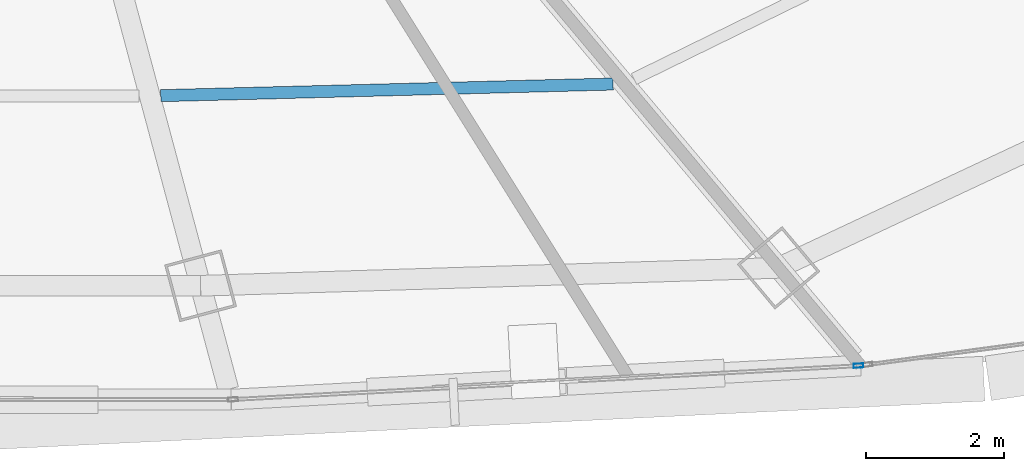
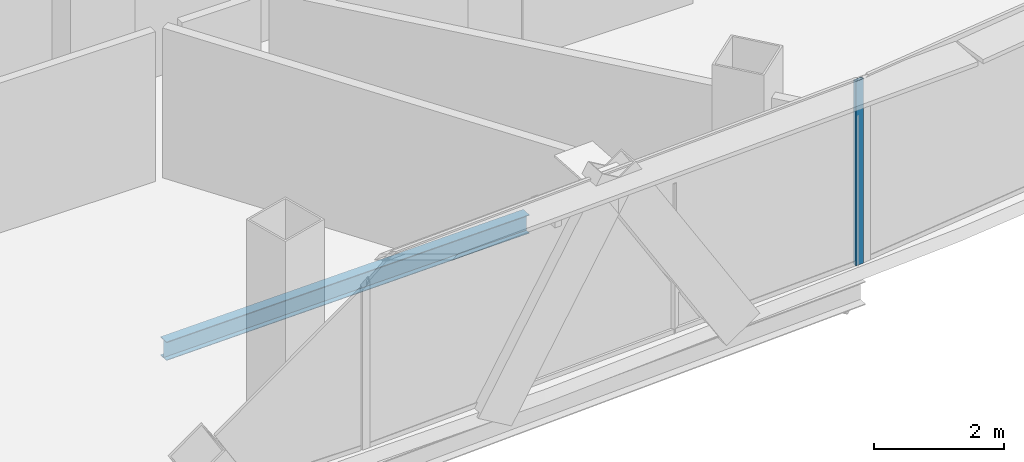
# One storey, part 12 of 37: 1 beam, 1 member, 1 element without a shape of its own.
"""IFC4 building model written with IfcOpenShell, lengths in metres."""

from ifc_helpers import new_model, si_unit, direction, frame, origin, origin_2d, place, context, subcontext, project, spatial, hollow_rectangle, i_section, extrude, source, transform, mapped, material, layer, layer_set, material_profile, profile_set, type_object, element, aggregate, save


model = new_model("IFC4")

# Units and contexts
model_context = context("Model", 3, precision=1e-05, world=origin(), true_north=direction((0.0, 1.0)))
body_context = subcontext(model_context, "Body", "Model", "MODEL_VIEW")
ifc_project = project(units=[si_unit("LENGTHUNIT", "METRE"), si_unit("AREAUNIT", "SQUARE_METRE"), si_unit("VOLUMEUNIT", "CUBIC_METRE"), si_unit("PLANEANGLEUNIT", "RADIAN"), si_unit("MASSUNIT", "GRAM", prefix="KILO"), si_unit("THERMODYNAMICTEMPERATUREUNIT", "KELVIN"), si_unit("POWERUNIT", "WATT")], contexts=[model_context])

# Site, building, storey
site_placement = place(None, origin())
site = spatial("IfcSite", under=ifc_project, at=site_placement, CompositionType="ELEMENT")
building_placement = place(site_placement, origin())
building = spatial("IfcBuilding", under=site, at=building_placement, Name="Yunzhuo Pagoda Commons", CompositionType="ELEMENT")
storey_placement = place(building_placement, frame((0.0, 0.0, 259.449951171875)))
storey = spatial("IfcBuildingStorey", under=building, at=storey_placement, Name="L65", CompositionType="ELEMENT", Elevation=259.449951171875)

# Beam
ifc_material_1 = material(Name="Structural steel Q355B", Category="steel")
ifc_material_profile_1 = material_profile(ifc_material_1, i_section(OverallWidth=0.175048828125, OverallDepth=0.35009765625, WebThickness=0.007080078125, FlangeThickness=0.010986328125, at=origin_2d()), Name="Structural steel Q355B")
ifc_profile_set_1 = profile_set([ifc_material_profile_1], Name="Structural steel Q355B")
beam_type = type_object("IfcBeamType", Name="B-JS2 Joist HN 350x175x7x11", PredefinedType="JOIST", material=ifc_profile_set_1)
shared_shape_1 = source(origin(), body_context, "Body", "SweptSolid", [
    extrude(i_section(OverallWidth=0.175048828125, OverallDepth=0.35009765625, WebThickness=0.007080078125, FlangeThickness=0.010986328125, at=origin_2d()), origin(), (0.0, 0.0, 1.0), 6.558349609375),
])
beam_placement = place(storey_placement, frame((51.45361328125, 21.40869140625, -0.43505859375), z_axis=(0.99966910323, 0.025723220017, 0.0), x_axis=(-0.025723220017, 0.99966910323, 0.0)))
element("IfcBeam", 1, at=beam_placement, inside=storey, type_object=beam_type, Name="L65 composite ring joist 2.3", PredefinedType="JOIST", context=body_context, shape_type="MappedRepresentation", body=[
    mapped(shared_shape_1, transform((0.0, 0.0, 0.0), scale=1.0)),
])

# Curtain wall, member
ifc_material_2 = material(Name="Anodized aluminium 6063-T6", Category="aluminium")
ifc_layer = layer(ifc_material_2, 0.139892578125)
ifc_layer_set = layer_set([ifc_layer], Name="Anodized aluminium 6063-T6")
curtain_wall_type = type_object("IfcCurtainWallType", Name="CW-HI High-Zone Ribbon Curtain Wall", PredefinedType="NOTDEFINED", material=ifc_layer_set)
curtain_wall_placement = place(storey_placement, origin())
curtain_wall = element("IfcCurtainWall", 2, at=curtain_wall_placement, inside=storey, type_object=curtain_wall_type, Name="L65 curtain wall CW-L65-F1B4", PredefinedType="NOTDEFINED")
ifc_material_profile_2 = material_profile(ifc_material_2, hollow_rectangle(XDim=0.06005859375, YDim=0.139892578125, WallThickness=0.00341796875, at=origin_2d()), Name="Anodized aluminium 6063-T6")
ifc_profile_set_2 = profile_set([ifc_material_profile_2], Name="Anodized aluminium 6063-T6")
member_type = type_object("IfcMemberType", Name="CW-HI-M Mullion RHS 140x60x3.5", PredefinedType="MULLION", material=ifc_profile_set_2)
shared_shape_2 = source(origin(), body_context, "Body", "SweptSolid", [
    extrude(hollow_rectangle(XDim=0.06005859375, YDim=0.139892578125, WallThickness=0.00341796875, at=origin_2d()), origin(), (0.0, 0.0, 1.0), 3.469970703125),
])
member_placement = place(storey_placement, frame((61.5654296875, 17.495849609375, 0.0), z_axis=(0.0, 0.0, 1.0), x_axis=(-0.053988827702, 0.998541539688, 0.0)))
member = element("IfcMember", 3, at=member_placement, type_object=member_type, Name="CW mullion 2", PredefinedType="MULLION", context=body_context, shape_type="MappedRepresentation", body=[
    mapped(shared_shape_2, transform((0.0, 0.0, 0.0), scale=1.0)),
])
aggregate(curtain_wall, [member])

save(model, "model.ifc")
